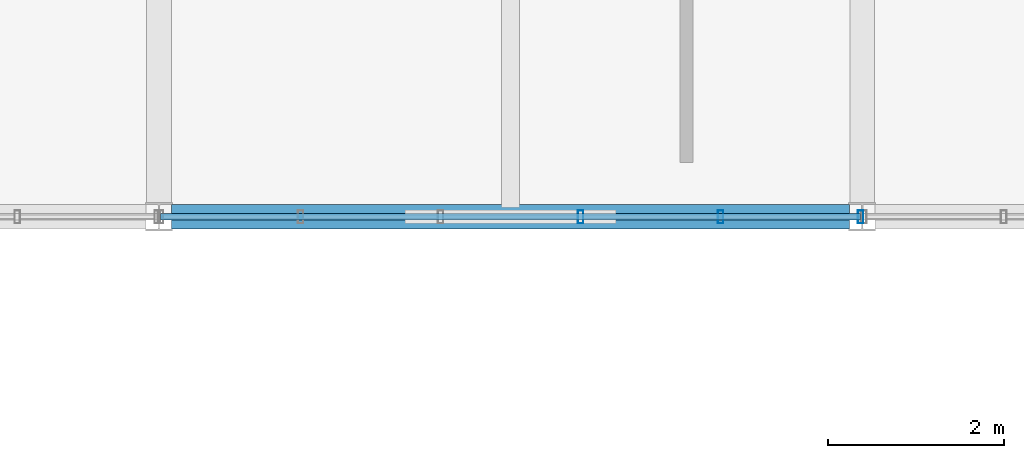
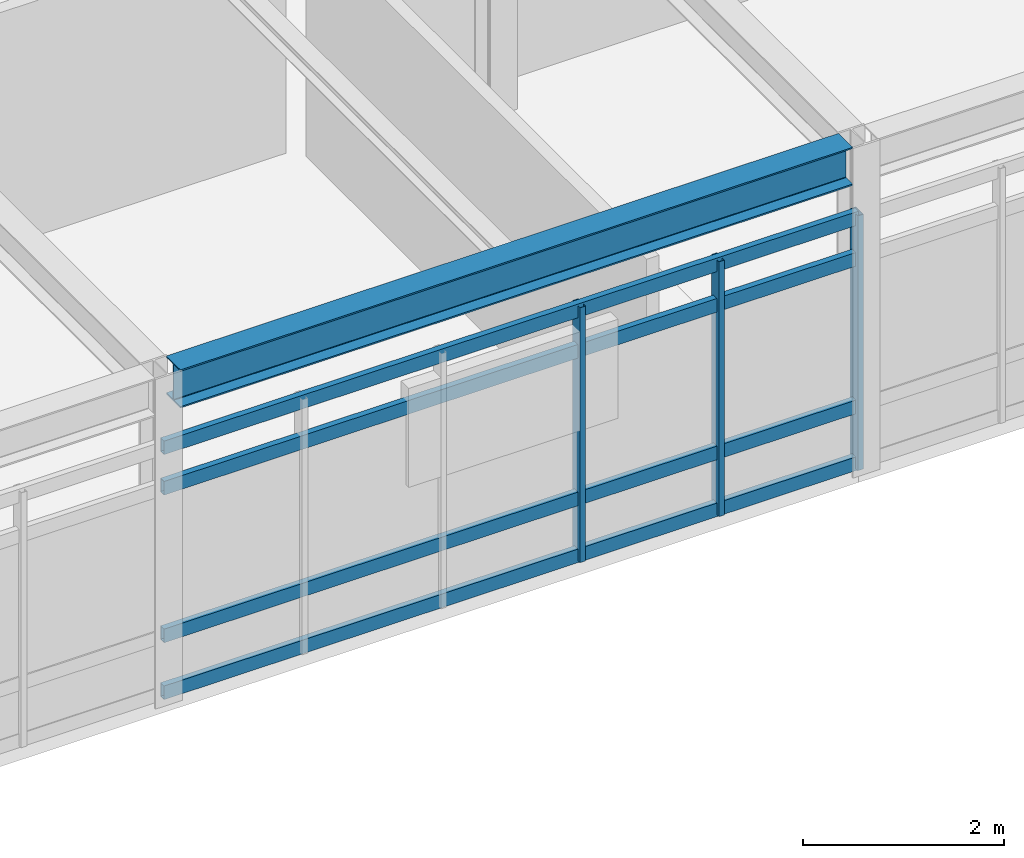
# One storey, part 34 of 85: 7 members, 1 beam, 1 element without a shape of its own.
"""IFC4 building model written with IfcOpenShell, lengths in metres."""

from ifc_helpers import new_model, si_unit, direction, frame, origin, origin_2d, place, context, subcontext, project, spatial, hollow_rectangle, i_section, extrude, material, material_profile, profile_set, type_object, element, aggregate, save


model = new_model("IFC4")

# Units and contexts
model_context = context("Model", 3, precision=1e-05, world=origin(), true_north=direction((0.0, 1.0)))
body_context = subcontext(model_context, "Body", "Model", "MODEL_VIEW")
ifc_project = project(units=[si_unit("LENGTHUNIT", "METRE"), si_unit("AREAUNIT", "SQUARE_METRE"), si_unit("VOLUMEUNIT", "CUBIC_METRE"), si_unit("PLANEANGLEUNIT", "RADIAN"), si_unit("MASSUNIT", "GRAM", prefix="KILO")], contexts=[model_context])

# Site, building, storey
site_placement = place(None, origin())
site = spatial("IfcSite", under=ifc_project, at=site_placement, CompositionType="ELEMENT")
building_placement = place(site_placement, origin())
building = spatial("IfcBuilding", under=site, at=building_placement, Name="Zulena Civic Courthouse", CompositionType="ELEMENT")
storey_placement = place(building_placement, frame((0.0, 0.0, 25.199951171875)))
storey = spatial("IfcBuildingStorey", under=building, at=storey_placement, Name="L05", CompositionType="ELEMENT", Elevation=25.199951171875)

# Curtain wall, members
ifc_material_1 = material(Name="Double-silver low-E laminated solar-control glass", Category="glass")
curtain_wall_type = type_object("IfcCurtainWallType", Name="CW_7964x3090", PredefinedType="USERDEFINED", material=ifc_material_1)
curtain_wall_placement = place(storey_placement, origin())
curtain_wall = element("IfcCurtainWall", 1, at=curtain_wall_placement, inside=storey, type_object=curtain_wall_type, Name="cw:V5:L05:5:4", ObjectType="UNITISED CURTAIN WALL", PredefinedType="USERDEFINED")
ifc_material_2 = material(Name="Bronze anodised thermally broken aluminium AA6063-T6", Category="aluminium")
ifc_material_profile_1 = material_profile(ifc_material_2, hollow_rectangle(XDim=0.06494140625, YDim=0.14990234375, WallThickness=0.00390625, at=origin_2d()), Name="CWM150X65X4")
ifc_profile_set_1 = profile_set([ifc_material_profile_1], Name="Bronze anodised thermally broken aluminium AA6063-T6")
member_type_1 = type_object("IfcMemberType", Name="CWMullion_150x65", PredefinedType="MULLION", material=ifc_profile_set_1)
member_1_placement = place(storey_placement, frame((67.98193359375, 46.0, 0.0), z_axis=(0.0, 0.0, 1.0), x_axis=(1.0, 0.0, 0.0)))
member_1 = element("IfcMember", 2, at=member_1_placement, type_object=member_type_1, Name="cw:V5:L05:5:4:mull:0", PredefinedType="MULLION", context=body_context, shape_type="SweptSolid", body=[
    extrude(hollow_rectangle(XDim=0.06494140625, YDim=0.14990234375, WallThickness=0.00390625, at=origin_2d()), origin(), (0.0, 0.0, 1.0), 3.090087890625),
])
member_2_placement = place(storey_placement, frame((66.38916015625, 46.0, 0.0), z_axis=(0.0, 0.0, 1.0), x_axis=(1.0, 0.0, 0.0)))
member_2 = element("IfcMember", 3, at=member_2_placement, type_object=member_type_1, Name="cw:V5:L05:5:4:mull:1", PredefinedType="MULLION", context=body_context, shape_type="SweptSolid", body=[
    extrude(hollow_rectangle(XDim=0.06494140625, YDim=0.14990234375, WallThickness=0.00390625, at=origin_2d()), origin(), (0.0, 0.0, 1.0), 3.090087890625),
])
member_3_placement = place(storey_placement, frame((64.79638671875, 46.0, 0.0), z_axis=(0.0, 0.0, 1.0), x_axis=(1.0, 0.0, 0.0)))
member_3 = element("IfcMember", 4, at=member_3_placement, type_object=member_type_1, Name="cw:V5:L05:5:4:mull:2", PredefinedType="MULLION", context=body_context, shape_type="SweptSolid", body=[
    extrude(hollow_rectangle(XDim=0.06494140625, YDim=0.14990234375, WallThickness=0.00390625, at=origin_2d()), origin(), (0.0, 0.0, 1.0), 3.090087890625),
])
ifc_material_profile_2 = material_profile(ifc_material_2, hollow_rectangle(XDim=0.070068359375, YDim=0.1650390625, WallThickness=0.00390625, at=origin_2d()), Name="CWT165X70X4")
ifc_profile_set_2 = profile_set([ifc_material_profile_2], Name="Bronze anodised thermally broken aluminium AA6063-T6")
member_type_2 = type_object("IfcMemberType", Name="CWTransom_165x70", PredefinedType="USERDEFINED", material=ifc_profile_set_2)
member_4_placement = place(storey_placement, frame((67.98193359375, 46.0, 0.06005859375), z_axis=(-1.0, 0.0, 0.0), x_axis=(0.0, -1.0, 0.0)))
member_4 = element("IfcMember", 5, at=member_4_placement, type_object=member_type_2, Name="cw:V5:L05:5:4:tran:0", ObjectType="TRANSOM", PredefinedType="USERDEFINED", context=body_context, shape_type="SweptSolid", body=[
    extrude(hollow_rectangle(XDim=0.070068359375, YDim=0.1650390625, WallThickness=0.00390625, at=origin_2d()), origin(), (0.0, 0.0, 1.0), 7.9638671875),
])
member_5_placement = place(storey_placement, frame((67.98193359375, 46.0, 0.75), z_axis=(-1.0, 0.0, 0.0), x_axis=(0.0, -1.0, 0.0)))
member_5 = element("IfcMember", 6, at=member_5_placement, type_object=member_type_2, Name="cw:V5:L05:5:4:tran:1", ObjectType="TRANSOM", PredefinedType="USERDEFINED", context=body_context, shape_type="SweptSolid", body=[
    extrude(hollow_rectangle(XDim=0.070068359375, YDim=0.1650390625, WallThickness=0.00390625, at=origin_2d()), origin(), (0.0, 0.0, 1.0), 7.9638671875),
])
member_6_placement = place(storey_placement, frame((67.98193359375, 46.0, 2.5400390625), z_axis=(-1.0, 0.0, 0.0), x_axis=(0.0, -1.0, 0.0)))
member_6 = element("IfcMember", 7, at=member_6_placement, type_object=member_type_2, Name="cw:V5:L05:5:4:tran:2", ObjectType="TRANSOM", PredefinedType="USERDEFINED", context=body_context, shape_type="SweptSolid", body=[
    extrude(hollow_rectangle(XDim=0.070068359375, YDim=0.1650390625, WallThickness=0.00390625, at=origin_2d()), origin(), (0.0, 0.0, 1.0), 7.9638671875),
])
member_7_placement = place(storey_placement, frame((67.98193359375, 46.0, 3.030029296875), z_axis=(-1.0, 0.0, 0.0), x_axis=(0.0, -1.0, 0.0)))
member_7 = element("IfcMember", 8, at=member_7_placement, type_object=member_type_2, Name="cw:V5:L05:5:4:tran:3", ObjectType="TRANSOM", PredefinedType="USERDEFINED", context=body_context, shape_type="SweptSolid", body=[
    extrude(hollow_rectangle(XDim=0.070068359375, YDim=0.1650390625, WallThickness=0.00390625, at=origin_2d()), origin(), (0.0, 0.0, 1.0), 7.9638671875),
])
aggregate(curtain_wall, [member_1, member_2, member_3, member_4, member_5, member_6, member_7])

# Beam
ifc_material_3 = material(Name="Steel ASTM A992 Grade 50", Category="steel")
ifc_material_profile_3 = material_profile(ifc_material_3, i_section(OverallWidth=0.280029296875, OverallDepth=0.462890625, WebThickness=0.0107421875, FlangeThickness=0.017333984375, FilletRadius=0.01025390625, at=origin_2d()), Name="W18X76")
ifc_profile_set_3 = profile_set([ifc_material_profile_3], Name="Steel ASTM A992 Grade 50")
beam_type = type_object("IfcBeamType", Name="Spandrel_W18X76", PredefinedType="SPANDREL", material=ifc_profile_set_3)
beam_placement = place(storey_placement, frame((60.14501953125, 46.0, 3.763427734375), z_axis=(1.0, 0.0, 0.0), x_axis=(0.0, 1.0, 0.0)))
element("IfcBeam", 9, at=beam_placement, inside=storey, type_object=beam_type, Name="beam:X:V5:L05:46.0:60.0_68.0", PredefinedType="SPANDREL", context=body_context, shape_type="SweptSolid", body=[
    extrude(i_section(OverallWidth=0.280029296875, OverallDepth=0.462890625, WebThickness=0.0107421875, FlangeThickness=0.017333984375, FilletRadius=0.01025390625, at=origin_2d()), origin(), (0.0, 0.0, 1.0), 7.7099609375),
])

save(model, "model.ifc")
